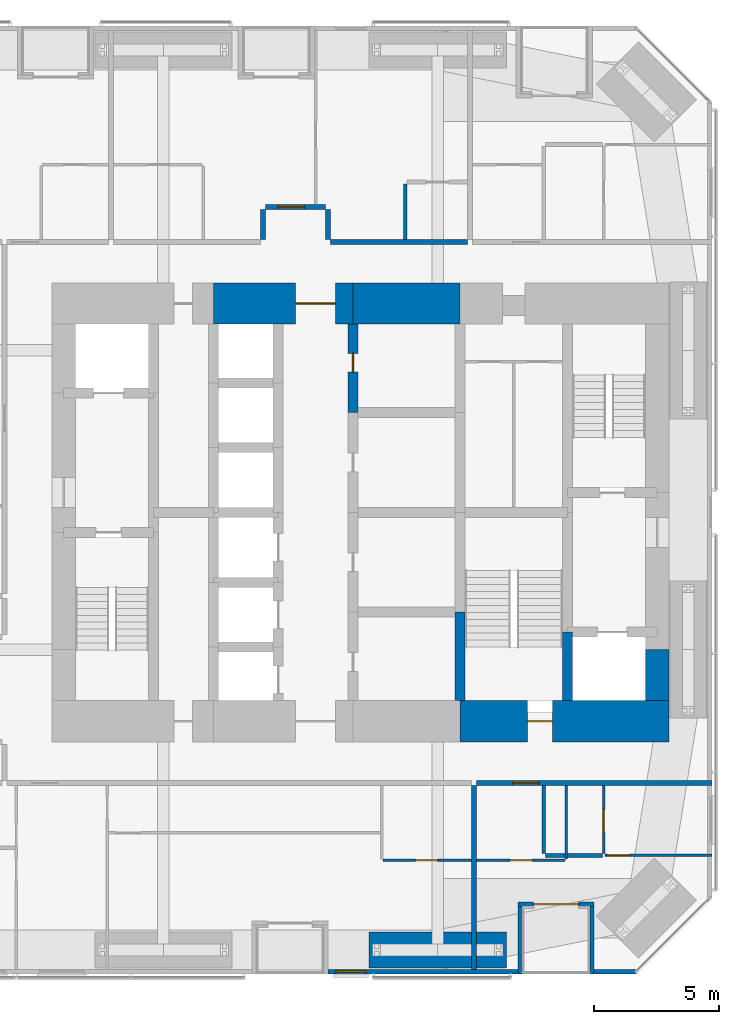
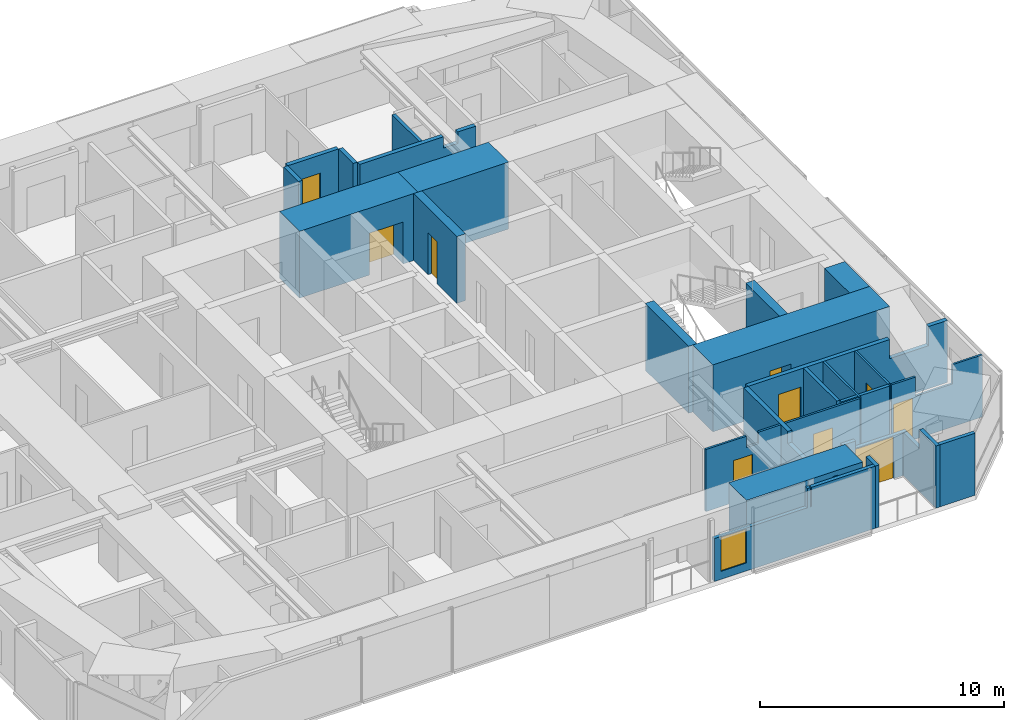
# One storey, part 20 of 24: 28 walls, 10 doors, 1 window, 11 openings.
"""IFC4 building model written with IfcOpenShell, lengths in metres."""

from ifc_helpers import new_model, si_unit, direction, frame, frame_2d, origin, place, context, subcontext, project, spatial, polyline, rectangle, outline, extrude, material, layer, layer_set, constituent, constituent_set, type_object, element, fill, save


model = new_model("IFC4")

# Units and contexts
model_context = context("Model", 3, precision=1e-05, world=origin(), true_north=direction((0.0, 1.0)))
body_context = subcontext(model_context, "Body", "Model", "MODEL_VIEW")
ifc_project = project(units=[si_unit("LENGTHUNIT", "METRE"), si_unit("AREAUNIT", "SQUARE_METRE"), si_unit("VOLUMEUNIT", "CUBIC_METRE"), si_unit("PLANEANGLEUNIT", "RADIAN"), si_unit("MASSUNIT", "GRAM", prefix="KILO")], contexts=[model_context])

# Site, building, storey
site_placement = place(None, origin())
site = spatial("IfcSite", under=ifc_project, at=site_placement, CompositionType="ELEMENT")
building_placement = place(site_placement, origin())
building = spatial("IfcBuilding", under=site, at=building_placement, Name="Jalousie Tower", CompositionType="ELEMENT")
storey_placement = place(building_placement, frame((0.0, 0.0, 51.14990234375)))
storey = spatial("IfcBuildingStorey", under=building, at=storey_placement, Name="L13", CompositionType="ELEMENT", Elevation=51.14990234375)

# Walls
ifc_material_1 = material(Name="Concrete block ASTM C90", Category="concrete")
ifc_constituent_1 = constituent(ifc_material_1, Name="Body")
ifc_material_2 = material(Name="Render")
ifc_constituent_2 = constituent(ifc_material_2, Name="Finish")
ifc_constituent_set_1 = constituent_set(constituents=[ifc_constituent_1, ifc_constituent_2])
wall_type_1 = type_object("IfcWallType", Name="BATHROOM WALL 150", PredefinedType="PLUMBINGWALL", material=ifc_constituent_set_1)
wall_1_placement = place(storey_placement, frame((39.324951171875, 4.74658203125, 0.0), z_axis=(0.0, 0.0, 1.0), x_axis=(1.0, 0.0, 0.0)))
element("IfcWall", 1, at=wall_1_placement, inside=storey, type_object=wall_type_1, Name="Bathroom Wall 150 L13", PredefinedType="PLUMBINGWALL", context=body_context, shape_type="SweptSolid", body=[
    extrude(rectangle(XDim=2.275146484375, YDim=0.14990234375, at=frame_2d((1.1376953125, 0.0))), origin(), (0.0, 0.0, 1.0), 3.110107421875),
])
wall_2_placement = place(storey_placement, frame((39.25, 4.82177734375, 0.0), z_axis=(0.0, 0.0, 1.0), x_axis=(0.0, 1.0, 0.0)))
element("IfcWall", 2, at=wall_2_placement, inside=storey, type_object=wall_type_1, Name="Bathroom Wall 150 L13", PredefinedType="PLUMBINGWALL", context=body_context, shape_type="SweptSolid", body=[
    extrude(rectangle(XDim=2.728271484375, YDim=0.14990234375, at=frame_2d((1.3642578125, 0.0))), origin(), (0.0, 0.0, 1.0), 3.110107421875),
])
wall_3_placement = place(storey_placement, frame((33.699951171875, 31.675048828125, 0.0), z_axis=(0.0, 0.0, 1.0), x_axis=(0.0, -1.0, 0.0)))
element("IfcWall", 3, at=wall_3_placement, inside=storey, type_object=wall_type_1, Name="Bathroom Wall 150 L13", PredefinedType="PLUMBINGWALL", context=body_context, shape_type="SweptSolid", body=[
    extrude(rectangle(XDim=2.22509765625, YDim=0.14990234375, at=frame_2d((1.112548828125, 0.0))), origin(), (0.0, 0.0, 1.0), 3.110107421875),
])

# Wall, opening, door
ifc_material_3 = material(Name="Concrete f'c 120 MPa", Category="concrete")
ifc_layer_1 = layer(ifc_material_3, 1.64990234375)
ifc_layer_set_1 = layer_set([ifc_layer_1], Name="Concrete f'c 120 MPa")
wall_type_2 = type_object("IfcWallType", Name="CORE WALL 1650", PredefinedType="SHEAR", material=ifc_layer_set_1)
wall_4_placement = place(storey_placement, frame((35.89990234375, 10.125, 0.0), z_axis=(0.0, 0.0, 1.0), x_axis=(1.0, 0.0, 0.0)))
wall_4 = element("IfcWall", 4, at=wall_4_placement, inside=storey, type_object=wall_type_2, Name="Core wall SD L13", PredefinedType="SHEAR", context=body_context, shape_type="SweptSolid", body=[
    extrude(rectangle(XDim=8.375, YDim=1.64990234375, at=frame_2d((4.1875, 0.0))), origin(), (0.0, 0.0, 1.0), 3.35009765625),
])
opening_1_placement = place(wall_4_placement, frame((2.699951171875, 0.0, 0.0)))
opening_1 = element("IfcOpeningElement", 5, at=opening_1_placement, cuts=wall_4, Name="Opening D10", PredefinedType="OPENING", context=body_context, shape_type="SweptSolid", body=[
    extrude(rectangle(XDim=1.0, YDim=2.10009765625, at=frame_2d((0.5, 1.050048828125))), frame((0.0, 0.8349609375, 0.0), z_axis=(0.0, -1.0, 0.0), x_axis=(1.0, 0.0, 0.0)), (0.0, 0.0, 1.0), 1.669921875),
])
ifc_material_4 = material(Name="Steel fire door", Category="steel")
door_type_1 = type_object("IfcDoorType", Name="STAIR DOOR 1000", OperationType="SINGLE_SWING_LEFT", PredefinedType="DOOR", material=ifc_material_4)
door_1_placement = place(opening_1_placement, origin())
door_1 = element("IfcDoor", 6, at=door_1_placement, inside=storey, type_object=door_type_1, Name="Exit stair C door", OperationType="SINGLE_SWING_RIGHT", OverallHeight=2.10009765625, OverallWidth=1.0, PredefinedType="DOOR", context=body_context, shape_type="SweptSolid", body=[
    extrude(rectangle(XDim=1.0, YDim=2.10009765625, at=frame_2d((0.5, 1.050048828125))), frame((0.0, 0.02490234375, 0.0), z_axis=(0.0, -1.0, 0.0), x_axis=(1.0, 0.0, 0.0)), (0.0, 0.0, 1.0), 0.050048828125),
])
fill(opening_1, door_1)

# Wall
wall_5_placement = place(storey_placement, frame((35.89990234375, 26.875, 0.0), z_axis=(0.0, 0.0, 1.0), x_axis=(-1.0, 0.0, 0.0)))
element("IfcWall", 7, at=wall_5_placement, inside=storey, type_object=wall_type_2, Name="Core wall NB L13", PredefinedType="SHEAR", context=body_context, shape_type="SweptSolid", body=[
    extrude(rectangle(XDim=4.2998046875, YDim=1.64990234375, at=frame_2d((2.14990234375, 0.0))), origin(), (0.0, 0.0, 1.0), 3.35009765625),
])

# Wall, opening, door
wall_6_placement = place(storey_placement, frame((31.60009765625, 26.875, 0.0), z_axis=(0.0, 0.0, 1.0), x_axis=(-1.0, 0.0, 0.0)))
wall_6 = element("IfcWall", 8, at=wall_6_placement, inside=storey, type_object=wall_type_2, Name="Core wall NC L13", PredefinedType="SHEAR", context=body_context, shape_type="SweptSolid", body=[
    extrude(rectangle(XDim=5.60009765625, YDim=1.64990234375, at=frame_2d((2.800048828125, 0.0))), origin(), (0.0, 0.0, 1.0), 3.35009765625),
])
opening_2_placement = place(wall_6_placement, frame((0.699951171875, 0.0, 0.0)))
opening_2 = element("IfcOpeningElement", 9, at=opening_2_placement, cuts=wall_6, Name="Opening D15", PredefinedType="OPENING", context=body_context, shape_type="SweptSolid", body=[
    extrude(rectangle(XDim=1.60009765625, YDim=2.10009765625, at=frame_2d((0.800048828125, 1.050048828125))), frame((0.0, 0.8349609375, 0.0), z_axis=(0.0, -1.0, 0.0), x_axis=(1.0, 0.0, 0.0)), (0.0, 0.0, 1.0), 1.669921875),
])
ifc_material_5 = material(Name="Steel fire door", Category="steel")
door_type_2 = type_object("IfcDoorType", Name="LIFT LOBBY DOOR 1600", OperationType="DOUBLE_DOOR_SINGLE_SWING", PredefinedType="DOOR", material=ifc_material_5)
door_2_placement = place(opening_2_placement, origin())
door_2 = element("IfcDoor", 10, at=door_2_placement, inside=storey, type_object=door_type_2, Name="Lift lobby north door", OperationType="DOUBLE_DOOR_SINGLE_SWING", OverallHeight=2.10009765625, OverallWidth=1.60009765625, PredefinedType="DOOR", context=body_context, shape_type="SweptSolid", body=[
    extrude(rectangle(XDim=1.60009765625, YDim=2.10009765625, at=frame_2d((0.800048828125, 1.050048828125))), frame((0.0, 0.02490234375, 0.0), z_axis=(0.0, -1.0, 0.0), x_axis=(1.0, 0.0, 0.0)), (0.0, 0.0, 1.0), 0.050048828125),
])
fill(opening_2, door_2)

ifc_material_6 = material(Name="Concrete f'c 120 MPa", Category="concrete")
ifc_layer_2 = layer(ifc_material_6, 0.39990234375)
ifc_layer_set_2 = layer_set([ifc_layer_2], Name="Concrete f'c 120 MPa")
wall_type_3 = type_object("IfcWallType", Name="CORE WALL 400", PredefinedType="SHEAR", material=ifc_layer_set_2)
wall_7_placement = place(storey_placement, frame((31.60009765625, 22.5, 0.0), z_axis=(0.0, 0.0, 1.0), x_axis=(0.0, 1.0, 0.0)))
wall_7 = element("IfcWall", 11, at=wall_7_placement, inside=storey, type_object=wall_type_3, Name="Core wall X31.6D L13", PredefinedType="SHEAR", context=body_context, shape_type="SweptSolid", body=[
    extrude(rectangle(XDim=3.550048828125, YDim=0.39990234375, at=frame_2d((1.77490234375, 0.0))), origin(), (0.0, 0.0, 1.0), 3.35009765625),
])
opening_3_placement = place(wall_7_placement, frame((1.625, 0.0, 0.0)))
opening_3 = element("IfcOpeningElement", 12, at=opening_3_placement, cuts=wall_7, Name="Opening D16", PredefinedType="OPENING", context=body_context, shape_type="SweptSolid", body=[
    extrude(rectangle(XDim=0.75, YDim=2.10009765625, at=frame_2d((0.375, 1.050048828125))), frame((0.0, 0.2099609375, 0.0), z_axis=(0.0, -1.0, 0.0), x_axis=(1.0, 0.0, 0.0)), (0.0, 0.0, 1.0), 0.419921875),
])
ifc_material_7 = material(Name="Steel fire door", Category="steel")
door_type_3 = type_object("IfcDoorType", Name="RISER DOOR 750", OperationType="SINGLE_SWING_LEFT", PredefinedType="DOOR", material=ifc_material_7)
door_3_placement = place(opening_3_placement, frame((0.75, 0.0, 0.0), z_axis=(0.0, 0.0, 1.0), x_axis=(-1.0, 0.0, 0.0)))
door_3 = element("IfcDoor", 13, at=door_3_placement, inside=storey, type_object=door_type_3, Name="Water Services Room door", OperationType="SINGLE_SWING_LEFT", OverallHeight=2.10009765625, OverallWidth=0.75, PredefinedType="DOOR", context=body_context, shape_type="SweptSolid", body=[
    extrude(rectangle(XDim=0.75, YDim=2.10009765625, at=frame_2d((0.375, 1.050048828125))), frame((0.0, 0.02490234375, 0.0), z_axis=(0.0, -1.0, 0.0), x_axis=(1.0, 0.0, 0.0)), (0.0, 0.0, 1.0), 0.050048828125),
])
fill(opening_3, door_3)

# Walls
wall_8_placement = place(storey_placement, frame((35.89990234375, 10.949951171875, 0.0), z_axis=(0.0, 0.0, 1.0), x_axis=(0.0, 1.0, 0.0)))
element("IfcWall", 14, at=wall_8_placement, inside=storey, type_object=wall_type_3, Name="Core wall X35.9A L13", PredefinedType="SHEAR", context=body_context, shape_type="SweptSolid", body=[
    extrude(rectangle(XDim=3.550048828125, YDim=0.39990234375, at=frame_2d((1.77490234375, 0.0))), origin(), (0.0, 0.0, 1.0), 3.35009765625),
])
wall_9_placement = place(storey_placement, frame((40.199951171875, 10.949951171875, 0.0), z_axis=(0.0, 0.0, 1.0), x_axis=(0.0, 1.0, 0.0)))
element("IfcWall", 15, at=wall_9_placement, inside=storey, type_object=wall_type_3, Name="Core wall X40.2A L13", PredefinedType="SHEAR", context=body_context, shape_type="SweptSolid", body=[
    extrude(rectangle(XDim=2.75, YDim=0.39990234375, at=frame_2d((1.375, 0.0))), origin(), (0.0, 0.0, 1.0), 3.35009765625),
])
ifc_material_8 = material(Name="Concrete f'c 120 MPa", Category="concrete")
ifc_layer_3 = layer(ifc_material_8, 0.949951171875)
ifc_layer_set_3 = layer_set([ifc_layer_3], Name="Concrete f'c 120 MPa")
wall_type_4 = type_object("IfcWallType", Name="CORE WALL 950", PredefinedType="SHEAR", material=ifc_layer_set_3)
wall_10_placement = place(storey_placement, frame((43.800048828125, 10.949951171875, 0.0), z_axis=(0.0, 0.0, 1.0), x_axis=(0.0, 1.0, 0.0)))
element("IfcWall", 16, at=wall_10_placement, inside=storey, type_object=wall_type_4, Name="Core wall EA L13", PredefinedType="SHEAR", context=body_context, shape_type="SweptSolid", body=[
    extrude(rectangle(XDim=2.050048828125, YDim=0.949951171875, at=frame_2d((1.02490234375, 0.0))), origin(), (0.0, 0.0, 1.0), 3.35009765625),
])

# Wall, opening, door
ifc_material_9 = material(Name="Concrete block ASTM C90", Category="concrete")
ifc_constituent_3 = constituent(ifc_material_9, Name="Body")
ifc_material_10 = material(Name="Render")
ifc_constituent_4 = constituent(ifc_material_10, Name="Finish")
ifc_constituent_set_2 = constituent_set(constituents=[ifc_constituent_3, ifc_constituent_4])
wall_type_5 = type_object("IfcWallType", Name="CORRIDOR WALL 200", PredefinedType="PARTITIONING", material=ifc_constituent_set_2)
wall_11_placement = place(storey_placement, frame((36.550048828125, 7.64990234375, 0.0), z_axis=(0.0, 0.0, 1.0), x_axis=(1.0, 0.0, 0.0)))
wall_11 = element("IfcWall", 17, at=wall_11_placement, inside=storey, type_object=wall_type_5, Name="Corridor Wall 200 L13", PredefinedType="PARTITIONING", context=body_context, shape_type="SweptSolid", body=[
    extrude(outline(polyline([(0.0, 0.0), (9.449951171875, 0.0), (9.449951171875, 3.110107421875), (8.55419921875, 3.110107421875), (8.55419921875, 2.150146484375), (6.71044921875, 2.150146484375), (6.71044921875, 3.110107421875), (0.0, 3.110107421875), (0.0, 0.0)])), frame((0.0, 0.10009765625, 0.0), z_axis=(0.0, -1.0, 0.0), x_axis=(1.0, 0.0, 0.0)), (0.0, 0.0, 1.0), 0.199951171875),
])
opening_4_placement = place(wall_11_placement, frame((1.449951171875, 0.0, 0.0)))
opening_4 = element("IfcOpeningElement", 18, at=opening_4_placement, cuts=wall_11, Name="Opening D1", PredefinedType="OPENING", context=body_context, shape_type="SweptSolid", body=[
    extrude(rectangle(XDim=1.050048828125, YDim=2.199951171875, at=frame_2d((0.52490234375, 1.10009765625))), frame((0.0, 0.10986328125, 0.0), z_axis=(0.0, -1.0, 0.0), x_axis=(1.0, 0.0, 0.0)), (0.0, 0.0, 1.0), 0.219970703125),
])
ifc_material_11 = material(Name="Timber fire door", Category="wood")
door_type_4 = type_object("IfcDoorType", Name="APARTMENT ENTRANCE DOOR 1050", OperationType="SINGLE_SWING_LEFT", PredefinedType="DOOR", material=ifc_material_11)
door_4_placement = place(opening_4_placement, frame((1.050048828125, 0.0, 0.0), z_axis=(0.0, 0.0, 1.0), x_axis=(-1.0, 0.0, 0.0)))
door_4 = element("IfcDoor", 19, at=door_4_placement, inside=storey, type_object=door_type_4, Name="Apartment 1302 entrance", OperationType="SINGLE_SWING_LEFT", OverallHeight=2.199951171875, OverallWidth=1.050048828125, PredefinedType="DOOR", context=body_context, shape_type="SweptSolid", body=[
    extrude(rectangle(XDim=1.050048828125, YDim=2.199951171875, at=frame_2d((0.52490234375, 1.10009765625))), frame((0.0, 0.02490234375, 0.0), z_axis=(0.0, -1.0, 0.0), x_axis=(1.0, 0.0, 0.0)), (0.0, 0.0, 1.0), 0.050048828125),
])
fill(opening_4, door_4)

# Wall
wall_12_placement = place(storey_placement, frame((30.699951171875, 29.35009765625, 0.0), z_axis=(0.0, 0.0, 1.0), x_axis=(1.0, 0.0, 0.0)))
element("IfcWall", 20, at=wall_12_placement, inside=storey, type_object=wall_type_5, Name="Corridor Wall 200 L13", PredefinedType="PARTITIONING", context=body_context, shape_type="SweptSolid", body=[
    extrude(outline(polyline([(0.0, 0.0), (5.5, 0.0), (5.5, 3.110107421875), (4.63720703125, 3.110107421875), (4.63720703125, 2.541015625), (3.962646484375, 2.541015625), (3.962646484375, 3.110107421875), (0.0, 3.110107421875), (0.0, 0.0)])), frame((0.0, 0.10009765625, 0.0), z_axis=(0.0, -1.0, 0.0), x_axis=(1.0, 0.0, 0.0)), (0.0, 0.0, 1.0), 0.199951171875),
])

# Wall, opening, door
wall_13_placement = place(storey_placement, frame((28.10009765625, 30.75, 0.0), z_axis=(0.0, 0.0, 1.0), x_axis=(1.0, 0.0, 0.0)))
wall_13 = element("IfcWall", 21, at=wall_13_placement, inside=storey, type_object=wall_type_5, Name="Corridor Wall 200 L13", PredefinedType="PARTITIONING", context=body_context, shape_type="SweptSolid", body=[
    extrude(rectangle(XDim=2.39990234375, YDim=0.199951171875, at=frame_2d((1.199951171875, 0.0))), origin(), (0.0, 0.0, 1.0), 3.110107421875),
])
opening_5_placement = place(wall_13_placement, frame((0.5, 0.0, 0.0)))
opening_5 = element("IfcOpeningElement", 22, at=opening_5_placement, cuts=wall_13, Name="Opening D1", PredefinedType="OPENING", context=body_context, shape_type="SweptSolid", body=[
    extrude(rectangle(XDim=1.050048828125, YDim=2.199951171875, at=frame_2d((0.52490234375, 1.10009765625))), frame((0.0, 0.10986328125, 0.0), z_axis=(0.0, -1.0, 0.0), x_axis=(1.0, 0.0, 0.0)), (0.0, 0.0, 1.0), 0.219970703125),
])
door_5_placement = place(opening_5_placement, origin())
door_5 = element("IfcDoor", 23, at=door_5_placement, inside=storey, type_object=door_type_4, Name="Apartment 1304 entrance", OperationType="SINGLE_SWING_RIGHT", OverallHeight=2.199951171875, OverallWidth=1.050048828125, PredefinedType="DOOR", context=body_context, shape_type="SweptSolid", body=[
    extrude(rectangle(XDim=1.050048828125, YDim=2.199951171875, at=frame_2d((0.52490234375, 1.10009765625))), frame((0.0, 0.02490234375, 0.0), z_axis=(0.0, -1.0, 0.0), x_axis=(1.0, 0.0, 0.0)), (0.0, 0.0, 1.0), 0.050048828125),
])
fill(opening_5, door_5)

# Walls
for number, where, z_axis, x_axis, name in (
    (24, (28.0, 29.449951171875, 0.0), (0.0, 0.0, 1.0), (0.0, 1.0, 0.0), "Corridor Wall 200 L13"),
    (25, (30.60009765625, 29.449951171875, 0.0), (0.0, 0.0, 1.0), (0.0, 1.0, 0.0), "Corridor Wall 200 L13"),
):
    element("IfcWall", number, at=place(storey_placement, frame(where, z_axis=z_axis, x_axis=x_axis)), inside=storey, type_object=wall_type_5, Name=name, PredefinedType="PARTITIONING", context=body_context, shape_type="SweptSolid", body=[
        extrude(rectangle(XDim=1.199951171875, YDim=0.199951171875, at=frame_2d((0.60009765625, 0.0))), origin(), (0.0, 0.0, 1.0), 3.110107421875),
    ])

# Wall, opening, window
ifc_material_12 = material(Name="Concrete f'c 40 MPa", Category="concrete")
ifc_constituent_5 = constituent(ifc_material_12, Name="Body")
ifc_material_13 = material(Name="Render, pastel coral")
ifc_constituent_6 = constituent(ifc_material_13, Name="Finish")
ifc_constituent_set_3 = constituent_set(constituents=[ifc_constituent_5, ifc_constituent_6])
wall_type_6 = type_object("IfcWallType", Name="EXTERNAL WALL 175 CORAL RENDER", PredefinedType="SOLIDWALL", material=ifc_constituent_set_3)
wall_14_placement = place(storey_placement, frame((30.60009765625, 0.08740234375, 0.0), z_axis=(0.0, 0.0, 1.0), x_axis=(1.0, 0.0, 0.0)))
wall_14 = element("IfcWall", 26, at=wall_14_placement, inside=storey, type_object=wall_type_6, Name="External Wall 175 Coral Render L13", PredefinedType="SOLIDWALL", context=body_context, shape_type="SweptSolid", body=[
    extrude(outline(polyline([(0.0, 0.0), (7.625, 0.0), (7.625, 3.110107421875), (4.60400390625, 3.110107421875), (4.60400390625, 2.150146484375), (4.5556640625, 2.150146484375), (4.5556640625, 3.110107421875), (4.39990234375, 3.110107421875), (4.39990234375, 2.150146484375), (0.0, 2.150146484375), (0.0, 0.0)])), frame((0.0, 0.08740234375, 0.0), z_axis=(0.0, -1.0, 0.0), x_axis=(1.0, 0.0, 0.0)), (0.0, 0.0, 1.0), 0.175048828125),
])
opening_6_placement = place(wall_14_placement, frame((0.3173828125, 0.0, 0.39990234375)))
opening_6 = element("IfcOpeningElement", 27, at=opening_6_placement, cuts=wall_14, Name="Opening W-COR170", PredefinedType="OPENING", context=body_context, shape_type="SweptSolid", body=[
    extrude(rectangle(XDim=1.199951171875, YDim=1.699951171875, at=frame_2d((0.60009765625, 0.85009765625))), frame((0.0, 0.097412109375, 0.0), z_axis=(0.0, -1.0, 0.0), x_axis=(1.0, 0.0, 0.0)), (0.0, 0.0, 1.0), 0.195068359375),
])
ifc_material_14 = material(Name="Aluminium frame, impact-rated glazing", Category="aluminium")
window_type = type_object("IfcWindowType", Name="WINDOW COR 1200x1700", PartitioningType="SINGLE_PANEL", PredefinedType="WINDOW", material=ifc_material_14)
window_placement = place(opening_6_placement, origin())
window = element("IfcWindow", 28, at=window_placement, inside=storey, type_object=window_type, Name="Apartment 1301 living and dining room window", OverallHeight=1.699951171875, OverallWidth=1.199951171875, PartitioningType="SINGLE_PANEL", PredefinedType="WINDOW", context=body_context, shape_type="SweptSolid", body=[
    extrude(rectangle(XDim=1.199951171875, YDim=1.699951171875, at=frame_2d((0.60009765625, 0.85009765625))), frame((0.0, 0.030029296875, 0.0), z_axis=(0.0, -1.0, 0.0), x_axis=(1.0, 0.0, 0.0)), (0.0, 0.0, 1.0), 0.06005859375),
])
fill(opening_6, window)

# Walls
wall_15_placement = place(storey_placement, frame((41.27490234375, 0.08740234375, 0.0), z_axis=(0.0, 0.0, 1.0), x_axis=(1.0, 0.0, 0.0)))
element("IfcWall", 29, at=wall_15_placement, inside=storey, type_object=wall_type_6, Name="External Wall 175 Coral Render L13", PredefinedType="SOLIDWALL", context=body_context, shape_type="SweptSolid", body=[
    extrude(rectangle(XDim=1.673828125, YDim=0.175048828125, at=frame_2d((0.8369140625, 0.0))), origin(), (0.0, 0.0, 1.0), 3.110107421875),
])
wall_16_placement = place(storey_placement, frame((38.22509765625, 2.78759765625, 0.0), z_axis=(0.0, 0.0, 1.0), x_axis=(1.0, 0.0, 0.0)))
element("IfcWall", 30, at=wall_16_placement, inside=storey, type_object=wall_type_6, Name="External Wall 175 Coral Render L13-A", PredefinedType="SOLIDWALL", context=body_context, shape_type="SweptSolid", body=[
    extrude(rectangle(XDim=0.625, YDim=0.175048828125, at=frame_2d((0.3125, 0.0))), origin(), (0.0, 0.0, 1.0), 2.510009765625),
])

# Wall, opening, door
wall_17_placement = place(storey_placement, frame((38.85009765625, 2.78759765625, 0.0), z_axis=(0.0, 0.0, 1.0), x_axis=(1.0, 0.0, 0.0)))
wall_17 = element("IfcWall", 31, at=wall_17_placement, inside=storey, type_object=wall_type_6, Name="External Wall 175 Coral Render L13-B", PredefinedType="SOLIDWALL", context=body_context, shape_type="SweptSolid", body=[
    extrude(rectangle(XDim=2.4248046875, YDim=0.175048828125, at=frame_2d((1.21240234375, 0.0))), origin(), (0.0, 0.0, 1.0), 2.150146484375),
])
opening_7_placement = place(wall_17_placement, origin())
opening_7 = element("IfcOpeningElement", 32, at=opening_7_placement, cuts=wall_17, Name="Opening D-BAL21", PredefinedType="OPENING", context=body_context, shape_type="SweptSolid", body=[
    extrude(rectangle(XDim=1.800048828125, YDim=2.10009765625, at=frame_2d((0.89990234375, 1.050048828125))), frame((0.0, 0.097412109375, 0.0), z_axis=(0.0, -1.0, 0.0), x_axis=(1.0, 0.0, 0.0)), (0.0, 0.0, 1.0), 0.195068359375),
])
ifc_material_15 = material(Name="Aluminium frame, impact-rated glazing", Category="aluminium")
door_type_5 = type_object("IfcDoorType", Name="BALCONY DOOR 1800x2100", OperationType="SLIDING_TO_LEFT", PredefinedType="DOOR", material=ifc_material_15)
door_6_placement = place(opening_7_placement, origin())
door_6 = element("IfcDoor", 33, at=door_6_placement, inside=storey, type_object=door_type_5, Name="Apartment 1302 living and dining room loggia door", OperationType="SLIDING_TO_LEFT", OverallHeight=2.10009765625, OverallWidth=1.800048828125, PredefinedType="DOOR", context=body_context, shape_type="SweptSolid", body=[
    extrude(rectangle(XDim=1.800048828125, YDim=2.10009765625, at=frame_2d((0.89990234375, 1.050048828125))), frame((0.0, 0.02490234375, 0.0), z_axis=(0.0, -1.0, 0.0), x_axis=(1.0, 0.0, 0.0)), (0.0, 0.0, 1.0), 0.050048828125),
])
fill(opening_7, door_6)

# Walls
wall_18_placement = place(storey_placement, frame((38.3125, 0.0, 0.0), z_axis=(0.0, 0.0, 1.0), x_axis=(0.0, 1.0, 0.0)))
element("IfcWall", 34, at=wall_18_placement, inside=storey, type_object=wall_type_6, Name="External Wall 175 Coral Render L13", PredefinedType="SOLIDWALL", context=body_context, shape_type="SweptSolid", body=[
    extrude(outline(polyline([(0.0, 0.0), (2.699951171875, 0.0), (2.699951171875, 2.510009765625), (2.44921875, 2.510009765625), (2.44921875, 2.150146484375), (0.781982421875, 2.150146484375), (0.781982421875, 3.110107421875), (0.0, 3.110107421875), (0.0, 0.0)])), frame((0.0, 0.08740234375, 0.0), z_axis=(0.0, -1.0, 0.0), x_axis=(1.0, 0.0, 0.0)), (0.0, 0.0, 1.0), 0.175048828125),
])
wall_19_placement = place(storey_placement, frame((41.1875, 0.0, 0.0), z_axis=(0.0, 0.0, 1.0), x_axis=(0.0, 1.0, 0.0)))
element("IfcWall", 35, at=wall_19_placement, inside=storey, type_object=wall_type_6, Name="External Wall 175 Coral Render L13", PredefinedType="SOLIDWALL", context=body_context, shape_type="SweptSolid", body=[
    extrude(outline(polyline([(0.0, 0.0), (2.699951171875, 0.0), (2.699951171875, 2.150146484375), (1.359619140625, 2.150146484375), (1.359619140625, 3.110107421875), (0.0, 3.110107421875), (0.0, 0.0)])), frame((0.0, 0.08740234375, 0.0), z_axis=(0.0, -1.0, 0.0), x_axis=(1.0, 0.0, 0.0)), (0.0, 0.0, 1.0), 0.175048828125),
])

# Wall, opening, door
ifc_material_16 = material(Name="Gypsum board", Category="gypsum")
ifc_constituent_7 = constituent(ifc_material_16, Name="Body")
ifc_material_17 = material(Name="Light-gauge steel studs ASTM A653 SS Grade 33", Category="steel")
ifc_constituent_8 = constituent(ifc_material_17, Name="Framing")
ifc_constituent_set_4 = constituent_set(constituents=[ifc_constituent_7, ifc_constituent_8])
wall_type_7 = type_object("IfcWallType", Name="PARTITION 100", PredefinedType="PARTITIONING", material=ifc_constituent_set_4)
wall_20_placement = place(storey_placement, frame((32.800048828125, 4.550048828125, 0.0), z_axis=(0.0, 0.0, 1.0), x_axis=(1.0, 0.0, 0.0)))
wall_20 = element("IfcWall", 36, at=wall_20_placement, inside=storey, type_object=wall_type_7, Name="Partition 100 L13", PredefinedType="PARTITIONING", context=body_context, shape_type="SweptSolid", body=[
    extrude(outline(polyline([(0.0, 0.0), (3.550048828125, 0.0), (3.550048828125, 3.110107421875), (2.4873046875, 3.110107421875), (2.4873046875, 2.541015625), (1.91259765625, 2.541015625), (1.91259765625, 3.110107421875), (0.0, 3.110107421875), (0.0, 0.0)])), frame((0.0, 0.050048828125, 0.0), z_axis=(0.0, -1.0, 0.0), x_axis=(1.0, 0.0, 0.0)), (0.0, 0.0, 1.0), 0.10009765625),
])
opening_8_placement = place(wall_20_placement, frame((1.300048828125, 0.0, 0.0)))
opening_8 = element("IfcOpeningElement", 37, at=opening_8_placement, cuts=wall_20, Name="Opening D7", PredefinedType="OPENING", context=body_context, shape_type="SweptSolid", body=[
    extrude(rectangle(XDim=0.89990234375, YDim=2.10009765625, at=frame_2d((0.449951171875, 1.050048828125))), frame((0.0, 0.06005859375, 0.0), z_axis=(0.0, -1.0, 0.0), x_axis=(1.0, 0.0, 0.0)), (0.0, 0.0, 1.0), 0.1201171875),
])
ifc_material_18 = material(Name="Timber door", Category="wood")
door_type_6 = type_object("IfcDoorType", Name="INTERNAL DOOR 900", OperationType="SINGLE_SWING_LEFT", PredefinedType="DOOR", material=ifc_material_18)
door_7_placement = place(opening_8_placement, frame((0.89990234375, 0.0, 0.0), z_axis=(0.0, 0.0, 1.0), x_axis=(-1.0, 0.0, 0.0)))
door_7 = element("IfcDoor", 38, at=door_7_placement, inside=storey, type_object=door_type_6, Name="Apartment 1301 kitchen door", OperationType="SINGLE_SWING_LEFT", OverallHeight=2.10009765625, OverallWidth=0.89990234375, PredefinedType="DOOR", context=body_context, shape_type="SweptSolid", body=[
    extrude(rectangle(XDim=0.89990234375, YDim=2.10009765625, at=frame_2d((0.449951171875, 1.050048828125))), frame((0.0, 0.02490234375, 0.0), z_axis=(0.0, -1.0, 0.0), x_axis=(1.0, 0.0, 0.0)), (0.0, 0.0, 1.0), 0.050048828125),
])
fill(opening_8, door_7)

wall_21_placement = place(storey_placement, frame((41.64990234375, 4.82177734375, 0.0), z_axis=(0.0, 0.0, 1.0), x_axis=(0.0, 1.0, 0.0)))
wall_21 = element("IfcWall", 39, at=wall_21_placement, inside=storey, type_object=wall_type_7, Name="Partition 100 L13", PredefinedType="PARTITIONING", context=body_context, shape_type="SweptSolid", body=[
    extrude(rectangle(XDim=2.728271484375, YDim=0.10009765625, at=frame_2d((1.3642578125, 0.0))), origin(), (0.0, 0.0, 1.0), 3.110107421875),
])
opening_9_placement = place(wall_21_placement, frame((0.876708984375, 0.0, 0.0)))
opening_9 = element("IfcOpeningElement", 40, at=opening_9_placement, cuts=wall_21, Name="Opening D3", PredefinedType="OPENING", context=body_context, shape_type="SweptSolid", body=[
    extrude(rectangle(XDim=0.89990234375, YDim=2.10009765625, at=frame_2d((0.449951171875, 1.050048828125))), frame((0.0, 0.06005859375, 0.0), z_axis=(0.0, -1.0, 0.0), x_axis=(1.0, 0.0, 0.0)), (0.0, 0.0, 1.0), 0.1201171875),
])
ifc_material_19 = material(Name="Timber door", Category="wood")
door_type_7 = type_object("IfcDoorType", Name="BATHROOM DOOR 900", OperationType="SINGLE_SWING_LEFT", PredefinedType="DOOR", material=ifc_material_19)
door_8_placement = place(opening_9_placement, origin())
door_8 = element("IfcDoor", 41, at=door_8_placement, inside=storey, type_object=door_type_7, Name="Apartment 1302 bedroom 1 bathroom door", OperationType="SINGLE_SWING_LEFT", OverallHeight=2.10009765625, OverallWidth=0.89990234375, PredefinedType="DOOR", context=body_context, shape_type="SweptSolid", body=[
    extrude(rectangle(XDim=0.89990234375, YDim=2.10009765625, at=frame_2d((0.449951171875, 1.050048828125))), frame((0.0, 0.02490234375, 0.0), z_axis=(0.0, -1.0, 0.0), x_axis=(1.0, 0.0, 0.0)), (0.0, 0.0, 1.0), 0.050048828125),
])
fill(opening_9, door_8)

wall_22_placement = place(storey_placement, frame((41.699951171875, 4.74658203125, 0.0), z_axis=(0.0, 0.0, 1.0), x_axis=(1.0, 0.0, 0.0)))
wall_22 = element("IfcWall", 42, at=wall_22_placement, inside=storey, type_object=wall_type_7, Name="Partition 100 L13", PredefinedType="PARTITIONING", context=body_context, shape_type="SweptSolid", body=[
    extrude(outline(polyline([(0.0, 0.0), (4.300048828125, 0.0), (4.300048828125, 3.110107421875), (2.8828125, 3.110107421875), (2.8828125, 2.150146484375), (1.140380859375, 2.150146484375), (1.140380859375, 3.110107421875), (0.0, 3.110107421875), (0.0, 0.0)])), frame((0.0, 0.050048828125, 0.0), z_axis=(0.0, -1.0, 0.0), x_axis=(1.0, 0.0, 0.0)), (0.0, 0.0, 1.0), 0.10009765625),
])
opening_10_placement = place(wall_22_placement, frame((0.10009765625, 0.0, 0.0)))
opening_10 = element("IfcOpeningElement", 43, at=opening_10_placement, cuts=wall_22, Name="Opening D2", PredefinedType="OPENING", context=body_context, shape_type="SweptSolid", body=[
    extrude(rectangle(XDim=0.89990234375, YDim=2.10009765625, at=frame_2d((0.449951171875, 1.050048828125))), frame((0.0, 0.06005859375, 0.0), z_axis=(0.0, -1.0, 0.0), x_axis=(1.0, 0.0, 0.0)), (0.0, 0.0, 1.0), 0.1201171875),
])
ifc_material_20 = material(Name="Timber door", Category="wood")
door_type_8 = type_object("IfcDoorType", Name="BEDROOM DOOR 900", OperationType="SINGLE_SWING_LEFT", PredefinedType="DOOR", material=ifc_material_20)
door_9_placement = place(opening_10_placement, origin())
door_9 = element("IfcDoor", 44, at=door_9_placement, inside=storey, type_object=door_type_8, Name="Apartment 1302 bedroom 1 door", OperationType="SINGLE_SWING_LEFT", OverallHeight=2.10009765625, OverallWidth=0.89990234375, PredefinedType="DOOR", context=body_context, shape_type="SweptSolid", body=[
    extrude(rectangle(XDim=0.89990234375, YDim=2.10009765625, at=frame_2d((0.449951171875, 1.050048828125))), frame((0.0, 0.02490234375, 0.0), z_axis=(0.0, -1.0, 0.0), x_axis=(1.0, 0.0, 0.0)), (0.0, 0.0, 1.0), 0.050048828125),
])
fill(opening_10, door_9)

wall_23_placement = place(storey_placement, frame((36.550048828125, 4.550048828125, 0.0), z_axis=(0.0, 0.0, 1.0), x_axis=(1.0, 0.0, 0.0)))
wall_23 = element("IfcWall", 45, at=wall_23_placement, inside=storey, type_object=wall_type_7, Name="Partition 100 L13", PredefinedType="PARTITIONING", context=body_context, shape_type="SweptSolid", body=[
    extrude(rectangle(XDim=3.550048828125, YDim=0.10009765625, at=frame_2d((1.77490234375, 0.0))), origin(), (0.0, 0.0, 1.0), 3.110107421875),
])
opening_11_placement = place(wall_23_placement, frame((1.35009765625, 0.0, 0.0)))
opening_11 = element("IfcOpeningElement", 46, at=opening_11_placement, cuts=wall_23, Name="Opening D7", PredefinedType="OPENING", context=body_context, shape_type="SweptSolid", body=[
    extrude(rectangle(XDim=0.89990234375, YDim=2.10009765625, at=frame_2d((0.449951171875, 1.050048828125))), frame((0.0, 0.06005859375, 0.0), z_axis=(0.0, -1.0, 0.0), x_axis=(1.0, 0.0, 0.0)), (0.0, 0.0, 1.0), 0.1201171875),
])
door_10_placement = place(opening_11_placement, origin())
door_10 = element("IfcDoor", 47, at=door_10_placement, inside=storey, type_object=door_type_6, Name="Apartment 1302 kitchen door", OperationType="SINGLE_SWING_RIGHT", OverallHeight=2.10009765625, OverallWidth=0.89990234375, PredefinedType="DOOR", context=body_context, shape_type="SweptSolid", body=[
    extrude(rectangle(XDim=0.89990234375, YDim=2.10009765625, at=frame_2d((0.449951171875, 1.050048828125))), frame((0.0, 0.02490234375, 0.0), z_axis=(0.0, -1.0, 0.0), x_axis=(1.0, 0.0, 0.0)), (0.0, 0.0, 1.0), 0.050048828125),
])
fill(opening_11, door_10)

# Walls
wall_24_placement = place(storey_placement, frame((40.14990234375, 4.60009765625, 0.0), z_axis=(0.0, 0.0, 1.0), x_axis=(0.0, 1.0, 0.0)))
element("IfcWall", 48, at=wall_24_placement, inside=storey, type_object=wall_type_7, Name="Partition 100 L13", PredefinedType="PARTITIONING", context=body_context, shape_type="SweptSolid", body=[
    extrude(rectangle(XDim=2.949951171875, YDim=0.10009765625, at=frame_2d((1.47509765625, 0.0))), origin(), (0.0, 0.0, 1.0), 3.110107421875),
])
ifc_material_21 = material(Name="Concrete block ASTM C90", Category="concrete")
ifc_constituent_9 = constituent(ifc_material_21, Name="Body")
ifc_material_22 = material(Name="Render")
ifc_constituent_10 = constituent(ifc_material_22, Name="Finish")
ifc_constituent_set_5 = constituent_set(constituents=[ifc_constituent_9, ifc_constituent_10])
wall_type_8 = type_object("IfcWallType", Name="PARTY WALL 200", PredefinedType="PARTITIONING", material=ifc_constituent_set_5)
wall_25_placement = place(storey_placement, frame((36.449951171875, 0.175048828125, 0.0), z_axis=(0.0, 0.0, 1.0), x_axis=(0.0, 1.0, 0.0)))
element("IfcWall", 49, at=wall_25_placement, inside=storey, type_object=wall_type_8, Name="Party Wall 200 L13", PredefinedType="PARTITIONING", context=body_context, shape_type="SweptSolid", body=[
    extrude(outline(polyline([(0.13818359375, 3.110107421875), (0.0, 3.110107421875), (0.0, 0.0), (0.52880859375, 0.0), (0.52880859375, 0.512939453125), (1.021240234375, 0.512939453125), (1.021240234375, 0.0), (7.375, 0.0), (7.375, 3.110107421875), (3.766357421875, 3.110107421875), (3.766357421875, 2.510009765625), (1.994384765625, 2.510009765625), (1.994384765625, 2.150146484375), (1.021240234375, 2.150146484375), (1.021240234375, 1.63720703125), (0.52880859375, 1.63720703125), (0.52880859375, 2.150146484375), (0.13818359375, 2.150146484375), (0.13818359375, 3.110107421875)])), frame((0.0, 0.10009765625, 0.0), z_axis=(0.0, -1.0, 0.0), x_axis=(1.0, 0.0, 0.0)), (0.0, 0.0, 1.0), 0.199951171875),
])
ifc_material_23 = material(Name="Concrete f'c 120 MPa", Category="concrete")
ifc_layer_4 = layer(ifc_material_23, 1.449951171875)
ifc_layer_set_4 = layer_set([ifc_layer_4], Name="Concrete f'c 120 MPa")
wall_type_9 = type_object("IfcWallType", Name="RC WALL PIER 1450", PredefinedType="SHEAR", material=ifc_layer_set_4)
wall_26_placement = place(storey_placement, frame((32.25, 0.949951171875, 0.0), z_axis=(0.0, 0.0, 1.0), x_axis=(1.0, 0.0, 0.0)))
element("IfcWall", 50, at=wall_26_placement, inside=storey, type_object=wall_type_9, Name="Wall pier 04 L13", PredefinedType="SHEAR", context=body_context, shape_type="SweptSolid", body=[
    extrude(rectangle(XDim=5.5, YDim=1.449951171875, at=frame_2d((2.75, 0.0))), origin(), (0.0, 0.0, 1.0), 3.35009765625),
])

save(model, "model.ifc")
